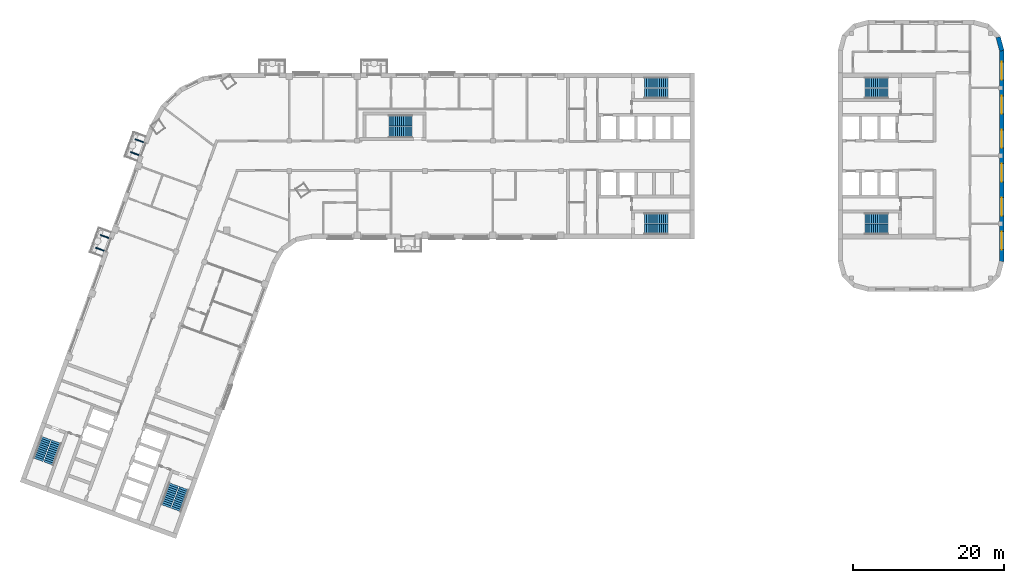
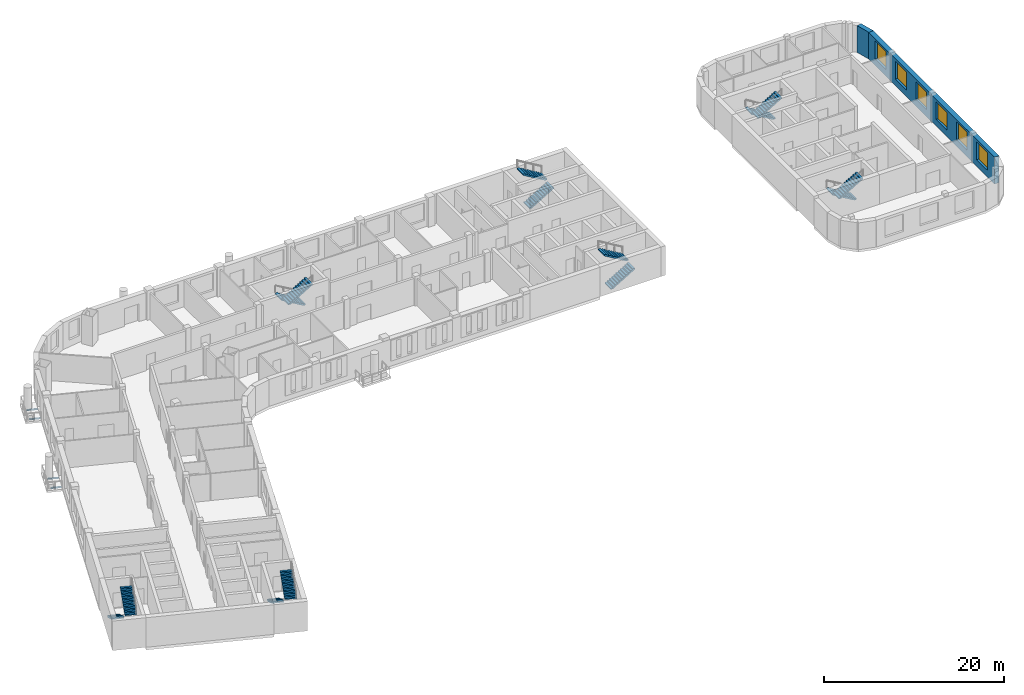
# One storey, part 9 of 13: 14 stair flights, 6 windows, 4 discrete accessories, 2 walls, 6 openings, 7 elements without a shape of their own.
"""IFC4 building model written with IfcOpenShell, lengths in metres."""

from ifc_helpers import new_model, si_unit, direction, frame, frame_2d, origin, origin_2d, place, context, subcontext, project, spatial, polyline, rectangle, outline, extrude, material, layer, layer_set, type_object, element, fill, aggregate, save


model = new_model("IFC4")

# Units and contexts
model_context = context("Model", 3, precision=1e-05, world=origin(), true_north=direction((0.0, 1.0)))
body_context = subcontext(model_context, "Body", "Model", "MODEL_VIEW")
ifc_project = project(units=[si_unit("LENGTHUNIT", "METRE"), si_unit("AREAUNIT", "SQUARE_METRE"), si_unit("VOLUMEUNIT", "CUBIC_METRE"), si_unit("PLANEANGLEUNIT", "RADIAN"), si_unit("MASSUNIT", "GRAM", prefix="KILO")], contexts=[model_context])

# Site, building, storey
site_placement = place(None, origin())
site = spatial("IfcSite", under=ifc_project, at=site_placement, CompositionType="ELEMENT")
building_placement = place(site_placement, origin())
building = spatial("IfcBuilding", under=site, at=building_placement, Name="Skarvind Civic Tower", CompositionType="ELEMENT")
storey_placement = place(building_placement, frame((0.0, 0.0, 93.0)))
storey = spatial("IfcBuildingStorey", under=building, at=storey_placement, Name="L21", CompositionType="ELEMENT", Elevation=93.0)

# Wall, openings, windows
ifc_material_1 = material(Name="Limestone masonry cladding on insulated backing", Category="masonry")
ifc_layer = layer(ifc_material_1, 0.60009765625)
ifc_layer_set = layer_set([ifc_layer], Name="WX1 STONE FACADE WALL 600")
wall_type = type_object("IfcWallType", Name="WX1 STONE FACADE WALL 600", PredefinedType="SOLIDWALL", material=ifc_layer_set)
wall_1_placement = place(storey_placement, frame((148.699951171875, 141.929931640625, 0.0), z_axis=(0.0, 0.0, 1.0), x_axis=(0.0, -1.0, 0.0)))
wall_1 = element("IfcWall", 1, at=wall_1_placement, inside=storey, type_object=wall_type, Name="STONE FACADE WALL", PredefinedType="SOLIDWALL", context=body_context, shape_type="SweptSolid", body=[
    extrude(rectangle(XDim=27.929931640625, YDim=0.60009765625, at=frame_2d((13.96484375, 0.0))), origin(), (0.0, 0.0, 1.0), 3.625),
])
opening_1_placement = place(wall_1_placement, frame((1.47998046875, 0.0, 0.89990234375)))
opening_1 = element("IfcOpeningElement", 2, at=opening_1_placement, cuts=wall_1, Name="Opening WN9", PredefinedType="OPENING", context=body_context, shape_type="SweptSolid", body=[
    extrude(rectangle(XDim=2.39990234375, YDim=2.39990234375, at=frame_2d((1.199951171875, 1.199951171875))), frame((0.0, 0.31005859375, 0.0), z_axis=(0.0, -1.0, 0.0), x_axis=(1.0, 0.0, 0.0)), (0.0, 0.0, 1.0), 0.6201171875),
])
opening_2_placement = place(wall_1_placement, frame((5.97998046875, 0.0, 0.89990234375)))
opening_2 = element("IfcOpeningElement", 3, at=opening_2_placement, cuts=wall_1, Name="Opening WN9", PredefinedType="OPENING", context=body_context, shape_type="SweptSolid", body=[
    extrude(rectangle(XDim=2.39990234375, YDim=2.39990234375, at=frame_2d((1.199951171875, 1.199951171875))), frame((0.0, 0.31005859375, 0.0), z_axis=(0.0, -1.0, 0.0), x_axis=(1.0, 0.0, 0.0)), (0.0, 0.0, 1.0), 0.6201171875),
])
opening_3_placement = place(wall_1_placement, frame((10.47998046875, 0.0, 0.89990234375)))
opening_3 = element("IfcOpeningElement", 4, at=opening_3_placement, cuts=wall_1, Name="Opening WN9", PredefinedType="OPENING", context=body_context, shape_type="SweptSolid", body=[
    extrude(rectangle(XDim=2.39990234375, YDim=2.39990234375, at=frame_2d((1.199951171875, 1.199951171875))), frame((0.0, 0.31005859375, 0.0), z_axis=(0.0, -1.0, 0.0), x_axis=(1.0, 0.0, 0.0)), (0.0, 0.0, 1.0), 0.6201171875),
])
opening_4_placement = place(wall_1_placement, frame((14.97998046875, 0.0, 0.89990234375)))
opening_4 = element("IfcOpeningElement", 5, at=opening_4_placement, cuts=wall_1, Name="Opening WN9", PredefinedType="OPENING", context=body_context, shape_type="SweptSolid", body=[
    extrude(rectangle(XDim=2.39990234375, YDim=2.39990234375, at=frame_2d((1.199951171875, 1.199951171875))), frame((0.0, 0.31005859375, 0.0), z_axis=(0.0, -1.0, 0.0), x_axis=(1.0, 0.0, 0.0)), (0.0, 0.0, 1.0), 0.6201171875),
])
opening_5_placement = place(wall_1_placement, frame((19.47998046875, 0.0, 0.89990234375)))
opening_5 = element("IfcOpeningElement", 6, at=opening_5_placement, cuts=wall_1, Name="Opening WN9", PredefinedType="OPENING", context=body_context, shape_type="SweptSolid", body=[
    extrude(rectangle(XDim=2.39990234375, YDim=2.39990234375, at=frame_2d((1.199951171875, 1.199951171875))), frame((0.0, 0.31005859375, 0.0), z_axis=(0.0, -1.0, 0.0), x_axis=(1.0, 0.0, 0.0)), (0.0, 0.0, 1.0), 0.6201171875),
])
opening_6_placement = place(wall_1_placement, frame((23.97998046875, 0.0, 0.89990234375)))
opening_6 = element("IfcOpeningElement", 7, at=opening_6_placement, cuts=wall_1, Name="Opening WN9", PredefinedType="OPENING", context=body_context, shape_type="SweptSolid", body=[
    extrude(rectangle(XDim=2.39990234375, YDim=2.39990234375, at=frame_2d((1.199951171875, 1.199951171875))), frame((0.0, 0.31005859375, 0.0), z_axis=(0.0, -1.0, 0.0), x_axis=(1.0, 0.0, 0.0)), (0.0, 0.0, 1.0), 0.6201171875),
])
ifc_material_2 = material(Name="Timber frame, double glazing, timber-lined reveal", Category="wood")
window_type = type_object("IfcWindowType", Name="WN9 COMPANION TOWER WINDOW 2400 x 2400", PartitioningType="SINGLE_PANEL", PredefinedType="WINDOW", material=ifc_material_2)
window_1_placement = place(opening_1_placement, origin())
window_1 = element("IfcWindow", 8, at=window_1_placement, inside=storey, type_object=window_type, Name="WN9 WINDOW", OverallHeight=2.39990234375, OverallWidth=2.39990234375, PartitioningType="SINGLE_PANEL", PredefinedType="WINDOW", context=body_context, shape_type="SweptSolid", body=[
    extrude(rectangle(XDim=2.39990234375, YDim=2.39990234375, at=frame_2d((1.199951171875, 1.199951171875))), frame((0.0, 0.030029296875, 0.0), z_axis=(0.0, -1.0, 0.0), x_axis=(1.0, 0.0, 0.0)), (0.0, 0.0, 1.0), 0.06005859375),
])
fill(opening_1, window_1)
window_2_placement = place(opening_2_placement, origin())
window_2 = element("IfcWindow", 9, at=window_2_placement, inside=storey, type_object=window_type, Name="WN9 WINDOW", OverallHeight=2.39990234375, OverallWidth=2.39990234375, PartitioningType="SINGLE_PANEL", PredefinedType="WINDOW", context=body_context, shape_type="SweptSolid", body=[
    extrude(rectangle(XDim=2.39990234375, YDim=2.39990234375, at=frame_2d((1.199951171875, 1.199951171875))), frame((0.0, 0.030029296875, 0.0), z_axis=(0.0, -1.0, 0.0), x_axis=(1.0, 0.0, 0.0)), (0.0, 0.0, 1.0), 0.06005859375),
])
fill(opening_2, window_2)
window_3_placement = place(opening_3_placement, origin())
window_3 = element("IfcWindow", 10, at=window_3_placement, inside=storey, type_object=window_type, Name="WN9 WINDOW", OverallHeight=2.39990234375, OverallWidth=2.39990234375, PartitioningType="SINGLE_PANEL", PredefinedType="WINDOW", context=body_context, shape_type="SweptSolid", body=[
    extrude(rectangle(XDim=2.39990234375, YDim=2.39990234375, at=frame_2d((1.199951171875, 1.199951171875))), frame((0.0, 0.030029296875, 0.0), z_axis=(0.0, -1.0, 0.0), x_axis=(1.0, 0.0, 0.0)), (0.0, 0.0, 1.0), 0.06005859375),
])
fill(opening_3, window_3)
window_4_placement = place(opening_4_placement, origin())
window_4 = element("IfcWindow", 11, at=window_4_placement, inside=storey, type_object=window_type, Name="WN9 WINDOW", OverallHeight=2.39990234375, OverallWidth=2.39990234375, PartitioningType="SINGLE_PANEL", PredefinedType="WINDOW", context=body_context, shape_type="SweptSolid", body=[
    extrude(rectangle(XDim=2.39990234375, YDim=2.39990234375, at=frame_2d((1.199951171875, 1.199951171875))), frame((0.0, 0.030029296875, 0.0), z_axis=(0.0, -1.0, 0.0), x_axis=(1.0, 0.0, 0.0)), (0.0, 0.0, 1.0), 0.06005859375),
])
fill(opening_4, window_4)
window_5_placement = place(opening_5_placement, origin())
window_5 = element("IfcWindow", 12, at=window_5_placement, inside=storey, type_object=window_type, Name="WN9 WINDOW", OverallHeight=2.39990234375, OverallWidth=2.39990234375, PartitioningType="SINGLE_PANEL", PredefinedType="WINDOW", context=body_context, shape_type="SweptSolid", body=[
    extrude(rectangle(XDim=2.39990234375, YDim=2.39990234375, at=frame_2d((1.199951171875, 1.199951171875))), frame((0.0, 0.030029296875, 0.0), z_axis=(0.0, -1.0, 0.0), x_axis=(1.0, 0.0, 0.0)), (0.0, 0.0, 1.0), 0.06005859375),
])
fill(opening_5, window_5)
window_6_placement = place(opening_6_placement, origin())
window_6 = element("IfcWindow", 13, at=window_6_placement, inside=storey, type_object=window_type, Name="WN9 WINDOW", OverallHeight=2.39990234375, OverallWidth=2.39990234375, PartitioningType="SINGLE_PANEL", PredefinedType="WINDOW", context=body_context, shape_type="SweptSolid", body=[
    extrude(rectangle(XDim=2.39990234375, YDim=2.39990234375, at=frame_2d((1.199951171875, 1.199951171875))), frame((0.0, 0.030029296875, 0.0), z_axis=(0.0, -1.0, 0.0), x_axis=(1.0, 0.0, 0.0)), (0.0, 0.0, 1.0), 0.06005859375),
])
fill(opening_6, window_6)

# Wall
wall_2_placement = place(storey_placement, frame((148.228759765625, 143.719482421875, 0.0), z_axis=(0.0, 0.0, 1.0), x_axis=(0.258773254036, -0.965938094805, 0.0)))
element("IfcWall", 14, at=wall_2_placement, inside=storey, type_object=wall_type, Name="STONE FACADE WALL", PredefinedType="SOLIDWALL", context=body_context, shape_type="SweptSolid", body=[
    extrude(rectangle(XDim=1.860595703125, YDim=0.60009765625, at=frame_2d((0.93017578125, 0.0))), origin(), (0.0, 0.0, 1.0), 3.625),
])

# Stair, stair flights
ifc_material_3 = material(Name="Concrete C40/50", Category="concrete")
stair_type_1 = type_object("IfcStairType", Name="Exit stair 1450, half-turn, concrete", PredefinedType="HALF_TURN_STAIR", material=ifc_material_3)
stair_1_placement = place(storey_placement, origin())
stair_1 = element("IfcStair", 15, at=stair_1_placement, inside=storey, type_object=stair_type_1, Name="Exit stair CM", PredefinedType="HALF_TURN_STAIR")
stair_flight_type_1 = type_object("IfcStairFlightType", Name="Stair flight 1450, concrete", PredefinedType="STRAIGHT", material=ifc_material_3)
stair_flight_1_placement = place(storey_placement, frame((70.550048828125, 132.675048828125, 0.0), z_axis=(0.0, 0.0, 1.0), x_axis=(-1.0, 0.0, 0.0)))
stair_flight_1 = element("IfcStairFlight", 16, at=stair_flight_1_placement, type_object=stair_flight_type_1, Name="ST-CM flight 1", NumberOfRisers=12, NumberOfTreads=11, PredefinedType="STRAIGHT", RiserHeight=0.166666667, TreadLength=0.28, context=body_context, shape_type="SweptSolid", body=[
    extrude(outline(polyline([(0.0, 0.0), (0.0, 0.166748046875), (0.280029296875, 0.166748046875), (0.280029296875, 0.333251953125), (0.56005859375, 0.333251953125), (0.56005859375, 0.5), (0.840087890625, 0.5), (0.840087890625, 0.666748046875), (1.1201171875, 0.666748046875), (1.1201171875, 0.833251953125), (1.39990234375, 0.833251953125), (1.39990234375, 1.0), (1.679931640625, 1.0), (1.679931640625, 1.166748046875), (1.9599609375, 1.166748046875), (1.9599609375, 1.333251953125), (2.239990234375, 1.333251953125), (2.239990234375, 1.5), (2.52001953125, 1.5), (2.52001953125, 1.666748046875), (2.800048828125, 1.666748046875), (2.800048828125, 1.833251953125), (3.080078125, 1.833251953125), (3.080078125, 2.0), (3.080078125, 1.658935546875), (0.29296875, 0.0), (0.0, 0.0)])), frame((0.0, 0.72509765625, 0.0), z_axis=(0.0, -1.0, 0.0), x_axis=(1.0, 0.0, 0.0)), (0.0, 0.0, 1.0), 1.449951171875),
])
stair_flight_2_placement = place(storey_placement, frame((67.469970703125, 131.125, 2.0), z_axis=(0.0, 0.0, 1.0), x_axis=(1.0, 0.0, 0.0)))
stair_flight_2 = element("IfcStairFlight", 17, at=stair_flight_2_placement, type_object=stair_flight_type_1, Name="ST-CM flight 2", NumberOfRisers=12, NumberOfTreads=11, PredefinedType="STRAIGHT", RiserHeight=0.166666667, TreadLength=0.28, context=body_context, shape_type="SweptSolid", body=[
    extrude(outline(polyline([(0.0, 0.0), (0.0, 0.166748046875), (0.280029296875, 0.166748046875), (0.280029296875, 0.333251953125), (0.56005859375, 0.333251953125), (0.56005859375, 0.5), (0.840087890625, 0.5), (0.840087890625, 0.666748046875), (1.1201171875, 0.666748046875), (1.1201171875, 0.833251953125), (1.39990234375, 0.833251953125), (1.39990234375, 1.0), (1.679931640625, 1.0), (1.679931640625, 1.166748046875), (1.9599609375, 1.166748046875), (1.9599609375, 1.333251953125), (2.239990234375, 1.333251953125), (2.239990234375, 1.5), (2.52001953125, 1.5), (2.52001953125, 1.666748046875), (2.800048828125, 1.666748046875), (2.800048828125, 1.833251953125), (3.080078125, 1.833251953125), (3.080078125, 2.0), (3.080078125, 1.658935546875), (0.29296875, 0.0), (0.0, 0.0)])), frame((0.0, 0.72509765625, 0.0), z_axis=(0.0, -1.0, 0.0), x_axis=(1.0, 0.0, 0.0)), (0.0, 0.0, 1.0), 1.449951171875),
])
aggregate(stair_1, [stair_flight_1, stair_flight_2])

stair_type_2 = type_object("IfcStairType", Name="Exit stair, half-turn, concrete", PredefinedType="HALF_TURN_STAIR", material=ifc_material_3)
stair_2_placement = place(storey_placement, origin())
stair_2 = element("IfcStair", 18, at=stair_2_placement, inside=storey, type_object=stair_type_2, Name="Exit stair C1S", PredefinedType="HALF_TURN_STAIR")
stair_flight_type_2 = type_object("IfcStairFlightType", Name="Stair flight, concrete", PredefinedType="STRAIGHT", material=ifc_material_3)
stair_flight_3_placement = place(storey_placement, frame((101.35009765625, 136.27490234375, 0.0), z_axis=(0.0, 0.0, 1.0), x_axis=(1.0, 0.0, 0.0)))
stair_flight_3 = element("IfcStairFlight", 19, at=stair_flight_3_placement, type_object=stair_flight_type_2, Name="ST-C1S flight 1", NumberOfRisers=12, NumberOfTreads=11, PredefinedType="STRAIGHT", RiserHeight=0.166666667, TreadLength=0.28, context=body_context, shape_type="SweptSolid", body=[
    extrude(outline(polyline([(0.0, 0.0), (0.0, 0.166748046875), (0.280029296875, 0.166748046875), (0.280029296875, 0.333251953125), (0.56005859375, 0.333251953125), (0.56005859375, 0.5), (0.840087890625, 0.5), (0.840087890625, 0.666748046875), (1.1201171875, 0.666748046875), (1.1201171875, 0.833251953125), (1.39990234375, 0.833251953125), (1.39990234375, 1.0), (1.679931640625, 1.0), (1.679931640625, 1.166748046875), (1.9599609375, 1.166748046875), (1.9599609375, 1.333251953125), (2.239990234375, 1.333251953125), (2.239990234375, 1.5), (2.52001953125, 1.5), (2.52001953125, 1.666748046875), (2.800048828125, 1.666748046875), (2.800048828125, 1.833251953125), (3.080078125, 1.833251953125), (3.080078125, 2.0), (3.080078125, 1.658935546875), (0.29296875, 0.0), (0.0, 0.0)])), frame((0.0, 0.675048828125, 0.0), z_axis=(0.0, -1.0, 0.0), x_axis=(1.0, 0.0, 0.0)), (0.0, 0.0, 1.0), 1.35009765625),
])
stair_flight_4_placement = place(storey_placement, frame((104.429931640625, 137.72509765625, 2.0), z_axis=(0.0, 0.0, 1.0), x_axis=(-1.0, 0.0, 0.0)))
stair_flight_4 = element("IfcStairFlight", 20, at=stair_flight_4_placement, type_object=stair_flight_type_2, Name="ST-C1S flight 2", NumberOfRisers=12, NumberOfTreads=11, PredefinedType="STRAIGHT", RiserHeight=0.166666667, TreadLength=0.28, context=body_context, shape_type="SweptSolid", body=[
    extrude(outline(polyline([(0.0, 0.0), (0.0, 0.166748046875), (0.280029296875, 0.166748046875), (0.280029296875, 0.333251953125), (0.56005859375, 0.333251953125), (0.56005859375, 0.5), (0.840087890625, 0.5), (0.840087890625, 0.666748046875), (1.1201171875, 0.666748046875), (1.1201171875, 0.833251953125), (1.39990234375, 0.833251953125), (1.39990234375, 1.0), (1.679931640625, 1.0), (1.679931640625, 1.166748046875), (1.9599609375, 1.166748046875), (1.9599609375, 1.333251953125), (2.239990234375, 1.333251953125), (2.239990234375, 1.5), (2.52001953125, 1.5), (2.52001953125, 1.666748046875), (2.800048828125, 1.666748046875), (2.800048828125, 1.833251953125), (3.080078125, 1.833251953125), (3.080078125, 2.0), (3.080078125, 1.658935546875), (0.29296875, 0.0), (0.0, 0.0)])), frame((0.0, 0.675048828125, 0.0), z_axis=(0.0, -1.0, 0.0), x_axis=(1.0, 0.0, 0.0)), (0.0, 0.0, 1.0), 1.35009765625),
])
aggregate(stair_2, [stair_flight_3, stair_flight_4])

stair_3_placement = place(storey_placement, origin())
stair_3 = element("IfcStair", 21, at=stair_3_placement, inside=storey, type_object=stair_type_2, Name="Exit stair C1N", PredefinedType="HALF_TURN_STAIR")
stair_flight_5_placement = place(storey_placement, frame((101.35009765625, 118.27490234375, 0.0), z_axis=(0.0, 0.0, 1.0), x_axis=(1.0, 0.0, 0.0)))
stair_flight_5 = element("IfcStairFlight", 22, at=stair_flight_5_placement, type_object=stair_flight_type_2, Name="ST-C1N flight 1", NumberOfRisers=12, NumberOfTreads=11, PredefinedType="STRAIGHT", RiserHeight=0.166666667, TreadLength=0.28, context=body_context, shape_type="SweptSolid", body=[
    extrude(outline(polyline([(0.0, 0.0), (0.0, 0.166748046875), (0.280029296875, 0.166748046875), (0.280029296875, 0.333251953125), (0.56005859375, 0.333251953125), (0.56005859375, 0.5), (0.840087890625, 0.5), (0.840087890625, 0.666748046875), (1.1201171875, 0.666748046875), (1.1201171875, 0.833251953125), (1.39990234375, 0.833251953125), (1.39990234375, 1.0), (1.679931640625, 1.0), (1.679931640625, 1.166748046875), (1.9599609375, 1.166748046875), (1.9599609375, 1.333251953125), (2.239990234375, 1.333251953125), (2.239990234375, 1.5), (2.52001953125, 1.5), (2.52001953125, 1.666748046875), (2.800048828125, 1.666748046875), (2.800048828125, 1.833251953125), (3.080078125, 1.833251953125), (3.080078125, 2.0), (3.080078125, 1.658935546875), (0.29296875, 0.0), (0.0, 0.0)])), frame((0.0, 0.675048828125, 0.0), z_axis=(0.0, -1.0, 0.0), x_axis=(1.0, 0.0, 0.0)), (0.0, 0.0, 1.0), 1.35009765625),
])
stair_flight_6_placement = place(storey_placement, frame((104.429931640625, 119.72509765625, 2.0), z_axis=(0.0, 0.0, 1.0), x_axis=(-1.0, 0.0, 0.0)))
stair_flight_6 = element("IfcStairFlight", 23, at=stair_flight_6_placement, type_object=stair_flight_type_2, Name="ST-C1N flight 2", NumberOfRisers=12, NumberOfTreads=11, PredefinedType="STRAIGHT", RiserHeight=0.166666667, TreadLength=0.28, context=body_context, shape_type="SweptSolid", body=[
    extrude(outline(polyline([(0.0, 0.0), (0.0, 0.166748046875), (0.280029296875, 0.166748046875), (0.280029296875, 0.333251953125), (0.56005859375, 0.333251953125), (0.56005859375, 0.5), (0.840087890625, 0.5), (0.840087890625, 0.666748046875), (1.1201171875, 0.666748046875), (1.1201171875, 0.833251953125), (1.39990234375, 0.833251953125), (1.39990234375, 1.0), (1.679931640625, 1.0), (1.679931640625, 1.166748046875), (1.9599609375, 1.166748046875), (1.9599609375, 1.333251953125), (2.239990234375, 1.333251953125), (2.239990234375, 1.5), (2.52001953125, 1.5), (2.52001953125, 1.666748046875), (2.800048828125, 1.666748046875), (2.800048828125, 1.833251953125), (3.080078125, 1.833251953125), (3.080078125, 2.0), (3.080078125, 1.658935546875), (0.29296875, 0.0), (0.0, 0.0)])), frame((0.0, 0.675048828125, 0.0), z_axis=(0.0, -1.0, 0.0), x_axis=(1.0, 0.0, 0.0)), (0.0, 0.0, 1.0), 1.35009765625),
])
aggregate(stair_3, [stair_flight_5, stair_flight_6])

stair_4_placement = place(storey_placement, origin())
stair_4 = element("IfcStair", 24, at=stair_4_placement, inside=storey, type_object=stair_type_2, Name="Exit stair C2S", PredefinedType="HALF_TURN_STAIR")
stair_flight_7_placement = place(storey_placement, frame((38.949462890625, 84.43408203125, 0.0), z_axis=(0.0, 0.0, 1.0), x_axis=(-0.342020143326, -0.939692620786, 0.0)))
stair_flight_7 = element("IfcStairFlight", 25, at=stair_flight_7_placement, type_object=stair_flight_type_2, Name="ST-C2S flight 1", NumberOfRisers=12, NumberOfTreads=11, PredefinedType="STRAIGHT", RiserHeight=0.166666667, TreadLength=0.28, context=body_context, shape_type="SweptSolid", body=[
    extrude(outline(polyline([(0.0, 0.0), (0.0, 0.166748046875), (0.280029296875, 0.166748046875), (0.280029296875, 0.333251953125), (0.56005859375, 0.333251953125), (0.56005859375, 0.5), (0.840087890625, 0.5), (0.840087890625, 0.666748046875), (1.1201171875, 0.666748046875), (1.1201171875, 0.833251953125), (1.39990234375, 0.833251953125), (1.39990234375, 1.0), (1.679931640625, 1.0), (1.679931640625, 1.166748046875), (1.9599609375, 1.166748046875), (1.9599609375, 1.333251953125), (2.239990234375, 1.333251953125), (2.239990234375, 1.5), (2.52001953125, 1.5), (2.52001953125, 1.666748046875), (2.800048828125, 1.666748046875), (2.800048828125, 1.833251953125), (3.080078125, 1.833251953125), (3.080078125, 2.0), (3.080078125, 1.658935546875), (0.29296875, 0.0), (0.0, 0.0)])), frame((0.0, 0.675048828125, 0.0), z_axis=(0.0, -1.0, 0.0), x_axis=(1.0, 0.0, 0.0)), (0.0, 0.0, 1.0), 1.35009765625),
])
stair_flight_8_placement = place(storey_placement, frame((39.258544921875, 81.0439453125, 2.0), z_axis=(0.0, 0.0, 1.0), x_axis=(0.342020143326, 0.939692620786, 0.0)))
stair_flight_8 = element("IfcStairFlight", 26, at=stair_flight_8_placement, type_object=stair_flight_type_2, Name="ST-C2S flight 2", NumberOfRisers=12, NumberOfTreads=11, PredefinedType="STRAIGHT", RiserHeight=0.166666667, TreadLength=0.28, context=body_context, shape_type="SweptSolid", body=[
    extrude(outline(polyline([(0.0, 0.0), (0.0, 0.166748046875), (0.280029296875, 0.166748046875), (0.280029296875, 0.333251953125), (0.56005859375, 0.333251953125), (0.56005859375, 0.5), (0.840087890625, 0.5), (0.840087890625, 0.666748046875), (1.1201171875, 0.666748046875), (1.1201171875, 0.833251953125), (1.39990234375, 0.833251953125), (1.39990234375, 1.0), (1.679931640625, 1.0), (1.679931640625, 1.166748046875), (1.9599609375, 1.166748046875), (1.9599609375, 1.333251953125), (2.239990234375, 1.333251953125), (2.239990234375, 1.5), (2.52001953125, 1.5), (2.52001953125, 1.666748046875), (2.800048828125, 1.666748046875), (2.800048828125, 1.833251953125), (3.080078125, 1.833251953125), (3.080078125, 2.0), (3.080078125, 1.658935546875), (0.29296875, 0.0), (0.0, 0.0)])), frame((0.0, 0.675048828125, 0.0), z_axis=(0.0, -1.0, 0.0), x_axis=(1.0, 0.0, 0.0)), (0.0, 0.0, 1.0), 1.35009765625),
])
aggregate(stair_4, [stair_flight_7, stair_flight_8])

stair_5_placement = place(storey_placement, origin())
stair_5 = element("IfcStair", 27, at=stair_5_placement, inside=storey, type_object=stair_type_2, Name="Exit stair C2N", PredefinedType="HALF_TURN_STAIR")
stair_flight_9_placement = place(storey_placement, frame((22.034912109375, 90.590576171875, 0.0), z_axis=(0.0, 0.0, 1.0), x_axis=(-0.342020143326, -0.939692620786, 0.0)))
stair_flight_9 = element("IfcStairFlight", 28, at=stair_flight_9_placement, type_object=stair_flight_type_2, Name="ST-C2N flight 1", NumberOfRisers=12, NumberOfTreads=11, PredefinedType="STRAIGHT", RiserHeight=0.166666667, TreadLength=0.28, context=body_context, shape_type="SweptSolid", body=[
    extrude(outline(polyline([(0.0, 0.0), (0.0, 0.166748046875), (0.280029296875, 0.166748046875), (0.280029296875, 0.333251953125), (0.56005859375, 0.333251953125), (0.56005859375, 0.5), (0.840087890625, 0.5), (0.840087890625, 0.666748046875), (1.1201171875, 0.666748046875), (1.1201171875, 0.833251953125), (1.39990234375, 0.833251953125), (1.39990234375, 1.0), (1.679931640625, 1.0), (1.679931640625, 1.166748046875), (1.9599609375, 1.166748046875), (1.9599609375, 1.333251953125), (2.239990234375, 1.333251953125), (2.239990234375, 1.5), (2.52001953125, 1.5), (2.52001953125, 1.666748046875), (2.800048828125, 1.666748046875), (2.800048828125, 1.833251953125), (3.080078125, 1.833251953125), (3.080078125, 2.0), (3.080078125, 1.658935546875), (0.29296875, 0.0), (0.0, 0.0)])), frame((0.0, 0.675048828125, 0.0), z_axis=(0.0, -1.0, 0.0), x_axis=(1.0, 0.0, 0.0)), (0.0, 0.0, 1.0), 1.35009765625),
])
stair_flight_10_placement = place(storey_placement, frame((22.343994140625, 87.2001953125, 2.0), z_axis=(0.0, 0.0, 1.0), x_axis=(0.342020143326, 0.939692620786, 0.0)))
stair_flight_10 = element("IfcStairFlight", 29, at=stair_flight_10_placement, type_object=stair_flight_type_2, Name="ST-C2N flight 2", NumberOfRisers=12, NumberOfTreads=11, PredefinedType="STRAIGHT", RiserHeight=0.166666667, TreadLength=0.28, context=body_context, shape_type="SweptSolid", body=[
    extrude(outline(polyline([(0.0, 0.0), (0.0, 0.166748046875), (0.280029296875, 0.166748046875), (0.280029296875, 0.333251953125), (0.56005859375, 0.333251953125), (0.56005859375, 0.5), (0.840087890625, 0.5), (0.840087890625, 0.666748046875), (1.1201171875, 0.666748046875), (1.1201171875, 0.833251953125), (1.39990234375, 0.833251953125), (1.39990234375, 1.0), (1.679931640625, 1.0), (1.679931640625, 1.166748046875), (1.9599609375, 1.166748046875), (1.9599609375, 1.333251953125), (2.239990234375, 1.333251953125), (2.239990234375, 1.5), (2.52001953125, 1.5), (2.52001953125, 1.666748046875), (2.800048828125, 1.666748046875), (2.800048828125, 1.833251953125), (3.080078125, 1.833251953125), (3.080078125, 2.0), (3.080078125, 1.658935546875), (0.29296875, 0.0), (0.0, 0.0)])), frame((0.0, 0.675048828125, 0.0), z_axis=(0.0, -1.0, 0.0), x_axis=(1.0, 0.0, 0.0)), (0.0, 0.0, 1.0), 1.35009765625),
])
aggregate(stair_5, [stair_flight_9, stair_flight_10])

stair_6_placement = place(storey_placement, origin())
stair_6 = element("IfcStair", 30, at=stair_6_placement, inside=storey, type_object=stair_type_2, Name="Exit stair CAS", PredefinedType="HALF_TURN_STAIR")
stair_flight_11_placement = place(storey_placement, frame((133.64990234375, 119.72509765625, 0.0), z_axis=(0.0, 0.0, 1.0), x_axis=(-1.0, 0.0, 0.0)))
stair_flight_11 = element("IfcStairFlight", 31, at=stair_flight_11_placement, type_object=stair_flight_type_2, Name="ST-CAS flight 1", NumberOfRisers=12, NumberOfTreads=11, PredefinedType="STRAIGHT", RiserHeight=0.166666667, TreadLength=0.28, context=body_context, shape_type="SweptSolid", body=[
    extrude(outline(polyline([(0.0, 0.0), (0.0, 0.166748046875), (0.280029296875, 0.166748046875), (0.280029296875, 0.333251953125), (0.56005859375, 0.333251953125), (0.56005859375, 0.5), (0.840087890625, 0.5), (0.840087890625, 0.666748046875), (1.1201171875, 0.666748046875), (1.1201171875, 0.833251953125), (1.39990234375, 0.833251953125), (1.39990234375, 1.0), (1.679931640625, 1.0), (1.679931640625, 1.166748046875), (1.9599609375, 1.166748046875), (1.9599609375, 1.333251953125), (2.239990234375, 1.333251953125), (2.239990234375, 1.5), (2.52001953125, 1.5), (2.52001953125, 1.666748046875), (2.800048828125, 1.666748046875), (2.800048828125, 1.833251953125), (3.080078125, 1.833251953125), (3.080078125, 2.0), (3.080078125, 1.658935546875), (0.29296875, 0.0), (0.0, 0.0)])), frame((0.0, 0.675048828125, 0.0), z_axis=(0.0, -1.0, 0.0), x_axis=(1.0, 0.0, 0.0)), (0.0, 0.0, 1.0), 1.35009765625),
])
stair_flight_12_placement = place(storey_placement, frame((130.570068359375, 118.27490234375, 2.0), z_axis=(0.0, 0.0, 1.0), x_axis=(1.0, 0.0, 0.0)))
stair_flight_12 = element("IfcStairFlight", 32, at=stair_flight_12_placement, type_object=stair_flight_type_2, Name="ST-CAS flight 2", NumberOfRisers=12, NumberOfTreads=11, PredefinedType="STRAIGHT", RiserHeight=0.166666667, TreadLength=0.28, context=body_context, shape_type="SweptSolid", body=[
    extrude(outline(polyline([(0.0, 0.0), (0.0, 0.166748046875), (0.280029296875, 0.166748046875), (0.280029296875, 0.333251953125), (0.56005859375, 0.333251953125), (0.56005859375, 0.5), (0.840087890625, 0.5), (0.840087890625, 0.666748046875), (1.1201171875, 0.666748046875), (1.1201171875, 0.833251953125), (1.39990234375, 0.833251953125), (1.39990234375, 1.0), (1.679931640625, 1.0), (1.679931640625, 1.166748046875), (1.9599609375, 1.166748046875), (1.9599609375, 1.333251953125), (2.239990234375, 1.333251953125), (2.239990234375, 1.5), (2.52001953125, 1.5), (2.52001953125, 1.666748046875), (2.800048828125, 1.666748046875), (2.800048828125, 1.833251953125), (3.080078125, 1.833251953125), (3.080078125, 2.0), (3.080078125, 1.658935546875), (0.29296875, 0.0), (0.0, 0.0)])), frame((0.0, 0.675048828125, 0.0), z_axis=(0.0, -1.0, 0.0), x_axis=(1.0, 0.0, 0.0)), (0.0, 0.0, 1.0), 1.35009765625),
])
aggregate(stair_6, [stair_flight_11, stair_flight_12])

stair_7_placement = place(storey_placement, origin())
stair_7 = element("IfcStair", 33, at=stair_7_placement, inside=storey, type_object=stair_type_2, Name="Exit stair CAN", PredefinedType="HALF_TURN_STAIR")
stair_flight_13_placement = place(storey_placement, frame((133.64990234375, 137.72509765625, 0.0), z_axis=(0.0, 0.0, 1.0), x_axis=(-1.0, 0.0, 0.0)))
stair_flight_13 = element("IfcStairFlight", 34, at=stair_flight_13_placement, type_object=stair_flight_type_2, Name="ST-CAN flight 1", NumberOfRisers=12, NumberOfTreads=11, PredefinedType="STRAIGHT", RiserHeight=0.166666667, TreadLength=0.28, context=body_context, shape_type="SweptSolid", body=[
    extrude(outline(polyline([(0.0, 0.0), (0.0, 0.166748046875), (0.280029296875, 0.166748046875), (0.280029296875, 0.333251953125), (0.56005859375, 0.333251953125), (0.56005859375, 0.5), (0.840087890625, 0.5), (0.840087890625, 0.666748046875), (1.1201171875, 0.666748046875), (1.1201171875, 0.833251953125), (1.39990234375, 0.833251953125), (1.39990234375, 1.0), (1.679931640625, 1.0), (1.679931640625, 1.166748046875), (1.9599609375, 1.166748046875), (1.9599609375, 1.333251953125), (2.239990234375, 1.333251953125), (2.239990234375, 1.5), (2.52001953125, 1.5), (2.52001953125, 1.666748046875), (2.800048828125, 1.666748046875), (2.800048828125, 1.833251953125), (3.080078125, 1.833251953125), (3.080078125, 2.0), (3.080078125, 1.658935546875), (0.29296875, 0.0), (0.0, 0.0)])), frame((0.0, 0.675048828125, 0.0), z_axis=(0.0, -1.0, 0.0), x_axis=(1.0, 0.0, 0.0)), (0.0, 0.0, 1.0), 1.35009765625),
])
stair_flight_14_placement = place(storey_placement, frame((130.570068359375, 136.27490234375, 2.0), z_axis=(0.0, 0.0, 1.0), x_axis=(1.0, 0.0, 0.0)))
stair_flight_14 = element("IfcStairFlight", 35, at=stair_flight_14_placement, type_object=stair_flight_type_2, Name="ST-CAN flight 2", NumberOfRisers=12, NumberOfTreads=11, PredefinedType="STRAIGHT", RiserHeight=0.166666667, TreadLength=0.28, context=body_context, shape_type="SweptSolid", body=[
    extrude(outline(polyline([(0.0, 0.0), (0.0, 0.166748046875), (0.280029296875, 0.166748046875), (0.280029296875, 0.333251953125), (0.56005859375, 0.333251953125), (0.56005859375, 0.5), (0.840087890625, 0.5), (0.840087890625, 0.666748046875), (1.1201171875, 0.666748046875), (1.1201171875, 0.833251953125), (1.39990234375, 0.833251953125), (1.39990234375, 1.0), (1.679931640625, 1.0), (1.679931640625, 1.166748046875), (1.9599609375, 1.166748046875), (1.9599609375, 1.333251953125), (2.239990234375, 1.333251953125), (2.239990234375, 1.5), (2.52001953125, 1.5), (2.52001953125, 1.666748046875), (2.800048828125, 1.666748046875), (2.800048828125, 1.833251953125), (3.080078125, 1.833251953125), (3.080078125, 2.0), (3.080078125, 1.658935546875), (0.29296875, 0.0), (0.0, 0.0)])), frame((0.0, 0.675048828125, 0.0), z_axis=(0.0, -1.0, 0.0), x_axis=(1.0, 0.0, 0.0)), (0.0, 0.0, 1.0), 1.35009765625),
])
aggregate(stair_7, [stair_flight_13, stair_flight_14])

# Discrete accessories
for number, where, z_axis, x_axis, name in (
    (36, (29.1484375, 115.61669921875, -0.35009765625), (0.0, 0.0, 1.0), (0.342020143326, 0.939692620786, 0.0), "TREE BALCONY BRACKET"),
    (37, (29.76416015625, 117.308349609375, -0.35009765625), (0.0, 0.0, 1.0), (0.342020143326, 0.939692620786, 0.0), "TREE BALCONY BRACKET"),
    (38, (33.765625, 128.302734375, -0.35009765625), (0.0, 0.0, 1.0), (0.342020143326, 0.939692620786, 0.0), "TREE BALCONY BRACKET"),
    (39, (34.38134765625, 129.994140625, -0.35009765625), (0.0, 0.0, 1.0), (0.342020143326, 0.939692620786, 0.0), "TREE BALCONY BRACKET"),
):
    element("IfcDiscreteAccessory", number, at=place(storey_placement, frame(where, z_axis=z_axis, x_axis=x_axis)), inside=storey, Name=name, PredefinedType="BRACKET", context=body_context, shape_type="SweptSolid", body=[
        extrude(rectangle(XDim=0.14990234375, YDim=1.199951171875, at=origin_2d()), origin(), (0.0, 0.0, 1.0), 0.10009765625),
    ])

save(model, "model.ifc")
